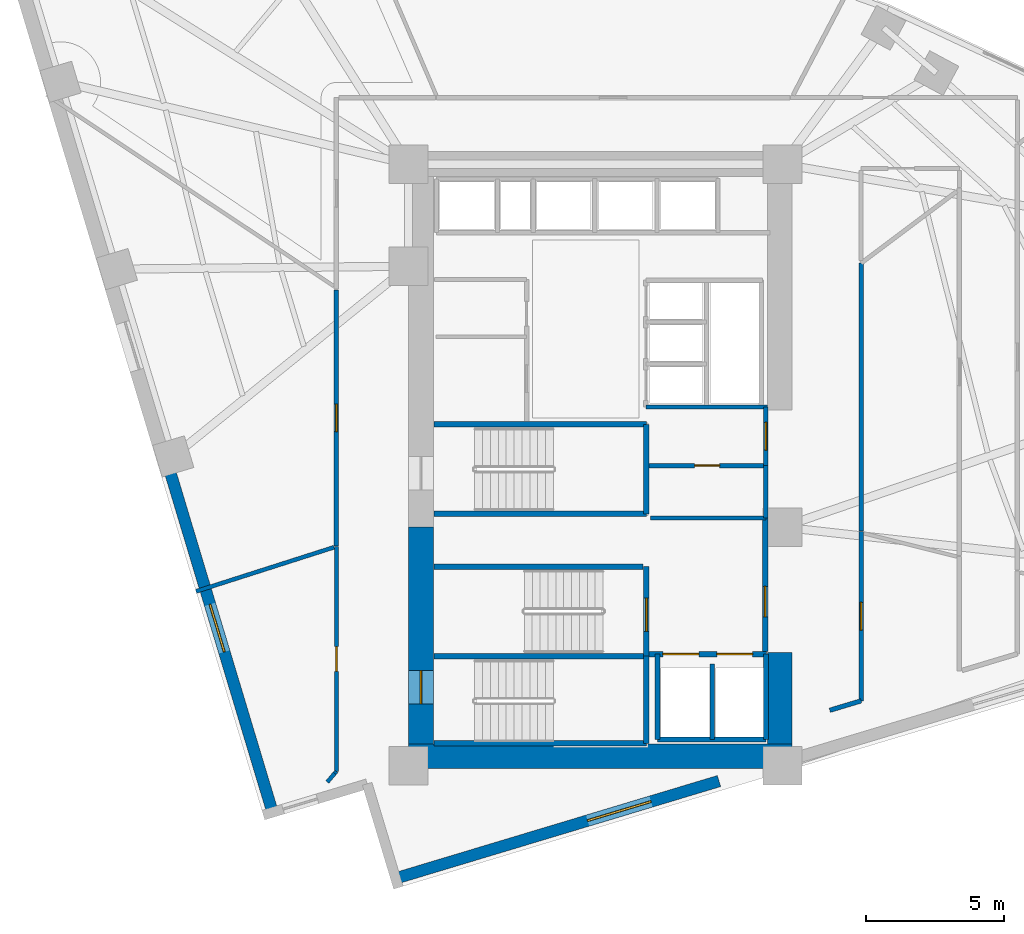
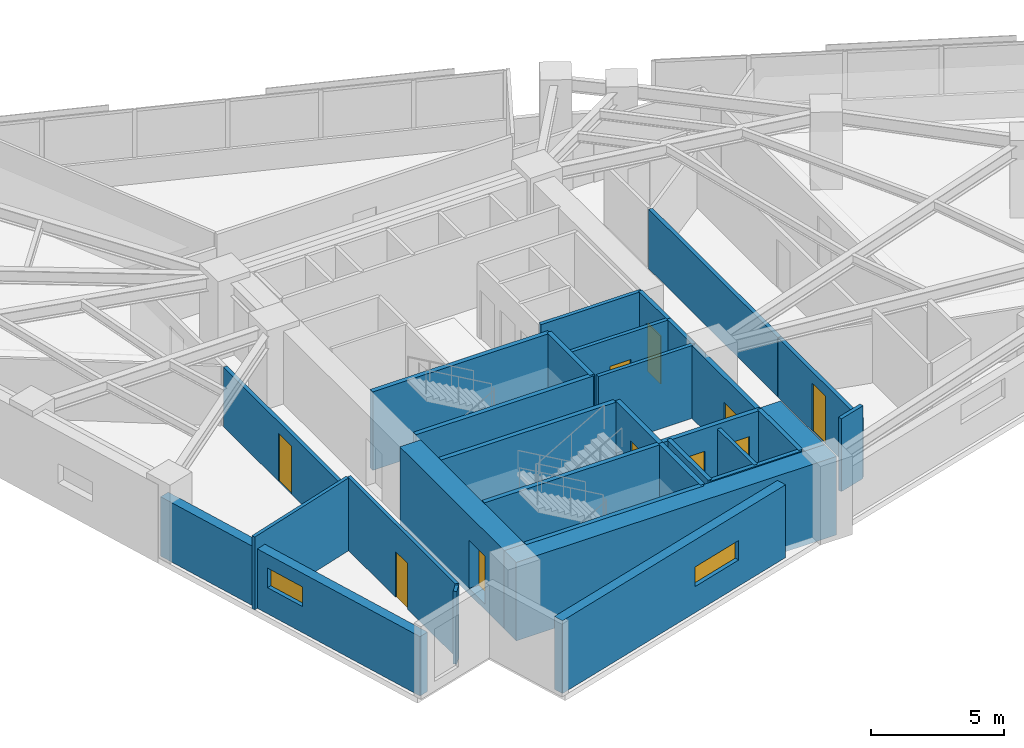
# One storey, part 10 of 14: 32 walls, 10 doors, 2 windows, 12 openings.
"""IFC4 building model written with IfcOpenShell, lengths in metres."""

import ifcopenshell
import ifcopenshell.guid

model = None  # the IFC model being written
_history = None  # IfcOwnerHistory: only IFC2X3 demands one
_inside = {}  # id of a spatial element -> (the spatial element, [elements in it])
_under = {}  # id of a project, library or spatial element -> (it, [spatial elements below it])
_declared = {}  # id of a project -> (the project, [libraries it declares])
_typed = {}  # id of a type object -> (the type object, [elements of that type])
_made_of = {}  # id of a material, layer set ... -> (it, [elements and type objects made of it])


def new_model(schema):
    """Start an empty IFC model of exactly this schema.

    Asked for "IFC4X3", IfcOpenShell would pick the latest addendum, in which some entities
    have other attributes; the version numbers below select the first issue.
    IFC2X3 requires an IfcOwnerHistory on every rooted entity: one is made here for all.
    """
    global model, _history
    if schema == "IFC4X3":
        model = ifcopenshell.file(schema_version=(4, 3, 0, 0))
    else:
        model = ifcopenshell.file(schema=schema)
    _inside.clear()
    _under.clear()
    _declared.clear()
    _typed.clear()
    _made_of.clear()
    _history = None
    if model.schema == "IFC2X3":
        org = make("IfcOrganization", Name="unknown")
        user = make(
            "IfcPersonAndOrganization",
            ThePerson=make("IfcPerson", FamilyName="unknown"),
            TheOrganization=org,
        )
        app = make(
            "IfcApplication",
            ApplicationDeveloper=org,
            Version="unknown",
            ApplicationFullName="unknown",
            ApplicationIdentifier="unknown",
        )
        _history = make(
            "IfcOwnerHistory",
            OwningUser=user,
            OwningApplication=app,
            ChangeAction="ADDED",
            CreationDate=0,
        )
    return model


def make(cls, **values):
    """One entity of the class cls with the attributes given. An attribute that is None is left unset."""
    return model.create_entity(
        cls, **{name: value for name, value in values.items() if value is not None}
    )


def rooted(cls, **values):
    """An entity with a GlobalId (a new one), such as an element, a storey or a relation."""
    return make(cls, GlobalId=ifcopenshell.guid.new(), OwnerHistory=_history, **values)


def si_unit(unit_type, name, prefix=None):
    """IfcSIUnit, for example si_unit("LENGTHUNIT", "METRE", prefix="MILLI")."""
    return make("IfcSIUnit", UnitType=unit_type, Prefix=prefix, Name=name)


def assignment(units):
    """IfcUnitAssignment: the units of a project."""
    return None if units is None else make("IfcUnitAssignment", Units=units)


def point(xyz):
    """IfcCartesianPoint."""
    return None if xyz is None else make("IfcCartesianPoint", Coordinates=xyz)


def direction(xyz):
    """IfcDirection."""
    return None if xyz is None else make("IfcDirection", DirectionRatios=xyz)


def frame(location, z_axis=None, x_axis=None):
    """IfcAxis2Placement3D, a coordinate frame: its origin and axes. An axis left out is left unset."""
    return make(
        "IfcAxis2Placement3D",
        Location=point(location),
        Axis=direction(z_axis),
        RefDirection=direction(x_axis),
    )


def frame_2d(location, x_axis=None):
    """IfcAxis2Placement2D, a coordinate frame in the plane: its origin and x axis."""
    return make(
        "IfcAxis2Placement2D", Location=point(location), RefDirection=direction(x_axis)
    )


def origin():
    """The frame at (0, 0, 0) with its axes left unset."""
    return frame((0.0, 0.0, 0.0))


def place(relative_to, where):
    """IfcLocalPlacement: puts the frame where relative to a parent placement (None: the world)."""
    return make(
        "IfcLocalPlacement", PlacementRelTo=relative_to, RelativePlacement=where
    )


def context(
    kind, dimensions, precision=None, world=None, true_north=None, identifier=None
):
    """IfcGeometricRepresentationContext, for example the 3D "Model" context."""
    return make(
        "IfcGeometricRepresentationContext",
        ContextIdentifier=identifier,
        ContextType=kind,
        CoordinateSpaceDimension=dimensions,
        Precision=precision,
        WorldCoordinateSystem=world,
        TrueNorth=true_north,
    )


def subcontext(parent, identifier, kind, view, scale=None):
    """IfcGeometricRepresentationSubContext, for example "Body" below "Model"."""
    return make(
        "IfcGeometricRepresentationSubContext",
        ContextIdentifier=identifier,
        ContextType=kind,
        ParentContext=parent,
        TargetScale=scale,
        TargetView=view,
    )


def project(units=None, contexts=None):
    """IfcProject with its units and contexts."""
    return rooted(
        "IfcProject",
        Name="project",
        RepresentationContexts=contexts,
        UnitsInContext=assignment(units),
    )


def spatial(cls, under=None, at=None, **own):
    """A site, building, storey or space (cls), placed at a placement, below another one or the project."""
    s = rooted(cls, ObjectPlacement=at, **own)
    if under is not None:
        _under.setdefault(under.id(), (under, []))[1].append(s)
    return s


def profile(cls, at=None, kind="AREA", **sizes):
    """A parametric profile (cls). Its sizes go by their IFC names, for example OverallWidth=200.0."""
    return make(cls, ProfileType=kind, Position=at, **sizes)


def rectangle(**sizes):
    """IfcRectangleProfileDef."""
    return profile("IfcRectangleProfileDef", **sizes)


def extrude(swept, where, along, depth):
    """IfcExtrudedAreaSolid: the profile swept, set in the frame where, extruded along a direction by depth."""
    return make(
        "IfcExtrudedAreaSolid",
        SweptArea=swept,
        Position=where,
        ExtrudedDirection=direction(along),
        Depth=depth,
    )


def shape(context_of_items, identifier, shape_type, items):
    """IfcShapeRepresentation: the items that make up one representation, for example the "Body"."""
    return make(
        "IfcShapeRepresentation",
        ContextOfItems=context_of_items,
        RepresentationIdentifier=identifier,
        RepresentationType=shape_type,
        Items=items,
    )


def material(Name=None, Category=None):
    """IfcMaterial."""
    return make("IfcMaterial", Name=Name, Category=Category)


def layer(
    of_material, thickness, ventilated=None, Name=None, Category=None, Priority=None
):
    """IfcMaterialLayer: one layer of a wall or slab, of a material (None: an air gap)."""
    return make(
        "IfcMaterialLayer",
        Material=of_material,
        LayerThickness=thickness,
        IsVentilated=ventilated,
        Name=Name,
        Category=Category,
        Priority=Priority,
    )


def layer_set(layers, Name=None):
    """IfcMaterialLayerSet."""
    return make("IfcMaterialLayerSet", MaterialLayers=layers, LayerSetName=Name)


def made_of(thing, what):
    """Note that an element or type object is made of a material, layer set ...; save() writes the relation."""
    if what is not None:
        _made_of.setdefault(what.id(), (what, []))[1].append(thing)
    return thing


def type_object(cls, material=None, **own):
    """A type object (cls), such as IfcWallType, which elements share."""
    return made_of(rooted(cls, **own), material)


def element(
    cls,
    number,
    at=None,
    inside=None,
    cuts=None,
    type_object=None,
    material=None,
    context=None,
    identifier="Body",
    shape_type=None,
    held_by="IfcProductDefinitionShape",
    body=None,
    shapes=None,
    **own,
):
    """One element of the class cls, such as IfcWall. Its Tag is "e" and its number.

    at: its placement. inside: the storey or other place that contains it. cuts: it is an
    opening in that element (IfcRelVoidsElement). A single representation is given by context,
    identifier, shape_type and body (its items); several are given by shapes. held_by: the class
    of the entity that holds the representations. save() writes the other relations.
    """
    e = rooted(cls, Tag="e%d" % number, ObjectPlacement=at, **own)
    if body is not None:
        shapes = [shape(context, identifier, shape_type, body)]
    if shapes is not None:
        e.Representation = make(held_by, Representations=shapes)
    if inside is not None:
        _inside.setdefault(inside.id(), (inside, []))[1].append(e)
    if cuts is not None:
        rooted(
            "IfcRelVoidsElement", RelatingBuildingElement=cuts, RelatedOpeningElement=e
        )
    if type_object is not None:
        _typed.setdefault(type_object.id(), (type_object, []))[1].append(e)
    return made_of(e, material)


def fill(opening, filler):
    """IfcRelFillsElement: the door or window that sits in an opening."""
    return rooted(
        "IfcRelFillsElement",
        RelatingOpeningElement=opening,
        RelatedBuildingElement=filler,
    )


def aggregate(whole, parts):
    """IfcRelAggregates: a whole, such as a stair, and the parts it consists of."""
    return rooted("IfcRelAggregates", RelatingObject=whole, RelatedObjects=parts)


def save(model, path):
    """Write the relations noted so far, then the file.

    IfcRelAggregates (storeys below a building ...), IfcRelContainedInSpatialStructure (elements
    in a storey), IfcRelDefinesByType, IfcRelAssociatesMaterial and IfcRelDeclares: one each for
    every whole, place, type object, material and project.
    """
    for whole, parts in _under.values():
        aggregate(whole, parts)
    for where, things in _inside.values():
        rooted(
            "IfcRelContainedInSpatialStructure",
            RelatedElements=things,
            RelatingStructure=where,
        )
    for kind, things in _typed.values():
        rooted("IfcRelDefinesByType", RelatedObjects=things, RelatingType=kind)
    for what, things in _made_of.values():
        rooted("IfcRelAssociatesMaterial", RelatedObjects=things, RelatingMaterial=what)
    for by, libraries in _declared.values():
        rooted("IfcRelDeclares", RelatingContext=by, RelatedDefinitions=libraries)
    model.write(path)


model = new_model("IFC4")

# Units and contexts
model_context = context("Model", 3, precision=1e-05, world=origin(), true_north=direction((0.0, 1.0)))
body_context = subcontext(model_context, "Body", "Model", "MODEL_VIEW")
ifc_project = project(units=[si_unit("LENGTHUNIT", "METRE"), si_unit("AREAUNIT", "SQUARE_METRE"), si_unit("VOLUMEUNIT", "CUBIC_METRE"), si_unit("PLANEANGLEUNIT", "RADIAN"), si_unit("MASSUNIT", "GRAM", prefix="KILO")], contexts=[model_context])

# Site, building, storey
site_placement = place(None, origin())
site = spatial("IfcSite", under=ifc_project, at=site_placement, CompositionType="ELEMENT")
building_placement = place(site_placement, origin())
building = spatial("IfcBuilding", under=site, at=building_placement, Name="Narakoshi Arena Tower", CompositionType="ELEMENT")
storey_placement = place(building_placement, frame((0.0, 0.0, 135.89990234375)))
storey = spatial("IfcBuildingStorey", under=building, at=storey_placement, Name="L36", CompositionType="ELEMENT", Elevation=135.89990234375)

# Wall, opening, door
ifc_material_1 = material(Name="Concrete C60/75", Category="concrete")
ifc_layer_1 = layer(ifc_material_1, 0.89990234375)
ifc_layer_set_1 = layer_set([ifc_layer_1], Name="Concrete C60/75")
wall_type_1 = type_object("IfcWallType", Name="WL-CORE-900", PredefinedType="SHEAR", material=ifc_layer_set_1)
wall_1_placement = place(storey_placement, frame((72.449951171875, 35.5, -0.260009765625), z_axis=(0.0, 0.0, 1.0), x_axis=(0.0, 1.0, 0.0)))
wall_1 = element("IfcWall", 1, at=wall_1_placement, inside=storey, type_object=wall_type_1, Name="L36 Central Core Shear Wall CW-APX-W", PredefinedType="SHEAR", context=body_context, shape_type="SweptSolid", body=[
    extrude(rectangle(XDim=7.85009765625, YDim=0.89990234375, at=frame_2d((3.925048828125, 0.0))), origin(), (0.0, 0.0, 1.0), 3.60009765625),
])
opening_1_placement = place(wall_1_placement, frame((1.449951171875, 0.0, 0.260009765625)))
opening_1 = element("IfcOpeningElement", 2, at=opening_1_placement, cuts=wall_1, Name="Opening D-03", PredefinedType="OPENING", context=body_context, shape_type="SweptSolid", body=[
    extrude(rectangle(XDim=1.199951171875, YDim=2.199951171875, at=frame_2d((0.60009765625, 1.10009765625))), frame((0.0, 0.4599609375, 0.0), z_axis=(0.0, -1.0, 0.0), x_axis=(1.0, 0.0, 0.0)), (0.0, 0.0, 1.0), 0.919921875),
])
ifc_material_2 = material(Name="Painted galvanized steel", Category="steel")
door_type_1 = type_object("IfcDoorType", Name="DR-STR-1200", OperationType="NOTDEFINED", PredefinedType="USERDEFINED", material=ifc_material_2)
door_1_placement = place(opening_1_placement, frame((1.199951171875, 0.0, 0.0), z_axis=(0.0, 0.0, 1.0), x_axis=(-1.0, 0.0, 0.0)))
door_1 = element("IfcDoor", 3, at=door_1_placement, inside=storey, type_object=door_type_1, Name="DR-L36-002", ObjectType="EXITDOOR", OperationType="SINGLE_SWING_LEFT", OverallHeight=2.199951171875, OverallWidth=1.199951171875, PredefinedType="USERDEFINED", context=body_context, shape_type="SweptSolid", body=[
    extrude(rectangle(XDim=1.199951171875, YDim=2.199951171875, at=frame_2d((0.60009765625, 1.10009765625))), frame((0.0, 0.02490234375, 0.0), z_axis=(0.0, -1.0, 0.0), x_axis=(1.0, 0.0, 0.0)), (0.0, 0.0, 1.0), 0.050048828125),
])
fill(opening_1, door_1)

# Walls
wall_2_placement = place(storey_placement, frame((72.0, 35.050048828125, -0.260009765625), z_axis=(0.0, 0.0, 1.0), x_axis=(1.0, 0.0, 0.0)))
element("IfcWall", 4, at=wall_2_placement, inside=storey, type_object=wall_type_1, Name="L36 Central Core Shear Wall CW-APX-S", PredefinedType="SHEAR", context=body_context, shape_type="SweptSolid", body=[
    extrude(rectangle(XDim=13.89990234375, YDim=0.89990234375, at=frame_2d((6.949951171875, 0.0))), origin(), (0.0, 0.0, 1.0), 3.60009765625),
])
wall_3_placement = place(storey_placement, frame((85.449951171875, 35.5, -0.260009765625), z_axis=(0.0, 0.0, 1.0), x_axis=(0.0, 1.0, 0.0)))
element("IfcWall", 5, at=wall_3_placement, inside=storey, type_object=wall_type_1, Name="L36 Central Core Shear Wall CW-APX-E", PredefinedType="SHEAR", context=body_context, shape_type="SweptSolid", body=[
    extrude(rectangle(XDim=3.300048828125, YDim=0.89990234375, at=frame_2d((1.64990234375, 0.0))), origin(), (0.0, 0.0, 1.0), 3.60009765625),
])

# Wall, opening, door
ifc_material_3 = material(Name="Gypsum plasterboard fire-rated partition")
ifc_layer_2 = layer(ifc_material_3, 0.1650390625)
ifc_layer_set_2 = layer_set([ifc_layer_2], Name="Gypsum plasterboard fire-rated partition")
wall_type_2 = type_object("IfcWallType", Name="WL-CORR-165", PredefinedType="PARTITIONING", material=ifc_layer_set_2)
wall_4_placement = place(storey_placement, frame((84.949951171875, 45.580078125, 0.0), z_axis=(0.0, 0.0, 1.0), x_axis=(0.0, 1.0, 0.0)))
wall_4 = element("IfcWall", 6, at=wall_4_placement, inside=storey, type_object=wall_type_2, Name="L36 Core Wall CPAS-E", PredefinedType="PARTITIONING", context=body_context, shape_type="SweptSolid", body=[
    extrude(rectangle(XDim=2.119873046875, YDim=0.1650390625, at=frame_2d((1.06005859375, 0.0))), origin(), (0.0, 0.0, 1.0), 3.340087890625),
])
opening_2_placement = place(wall_4_placement, frame((0.56005859375, 0.0, 0.0)))
opening_2 = element("IfcOpeningElement", 7, at=opening_2_placement, cuts=wall_4, Name="Opening D-06", PredefinedType="OPENING", context=body_context, shape_type="SweptSolid", body=[
    extrude(rectangle(XDim=1.0, YDim=2.199951171875, at=frame_2d((0.5, 1.10009765625))), frame((0.0, 0.092529296875, 0.0), z_axis=(0.0, -1.0, 0.0), x_axis=(1.0, 0.0, 0.0)), (0.0, 0.0, 1.0), 0.18505859375),
])
ifc_material_4 = material(Name="Stained oak solid-core timber", Category="wood")
door_type_2 = type_object("IfcDoorType", Name="DR-OFF-1000", OperationType="NOTDEFINED", PredefinedType="DOOR", material=ifc_material_4)
door_2_placement = place(opening_2_placement, frame((1.0, 0.0, 0.0), z_axis=(0.0, 0.0, 1.0), x_axis=(-1.0, 0.0, 0.0)))
door_2 = element("IfcDoor", 8, at=door_2_placement, inside=storey, type_object=door_type_2, Name="DR-L36-008", OperationType="SINGLE_SWING_LEFT", OverallHeight=2.199951171875, OverallWidth=1.0, PredefinedType="DOOR", context=body_context, shape_type="SweptSolid", body=[
    extrude(rectangle(XDim=1.0, YDim=2.199951171875, at=frame_2d((0.5, 1.10009765625))), frame((0.0, 0.02490234375, 0.0), z_axis=(0.0, -1.0, 0.0), x_axis=(1.0, 0.0, 0.0)), (0.0, 0.0, 1.0), 0.050048828125),
])
fill(opening_2, door_2)

wall_5_placement = place(storey_placement, frame((88.39990234375, 37.05712890625, 0.0), z_axis=(0.0, 0.0, 1.0), x_axis=(0.0, 1.0, 0.0)))
wall_5 = element("IfcWall", 9, at=wall_5_placement, inside=storey, type_object=wall_type_2, Name="L36 Corridor Partition 02-1", PredefinedType="PARTITIONING", context=body_context, shape_type="SweptSolid", body=[
    extrude(rectangle(XDim=6.128173828125, YDim=0.1650390625, at=frame_2d((3.06396484375, 0.0))), origin(), (0.0, 0.0, 1.0), 2.72509765625),
])
opening_3_placement = place(wall_5_placement, frame((2.564208984375, 0.0, 0.0)))
opening_3 = element("IfcOpeningElement", 10, at=opening_3_placement, cuts=wall_5, Name="Opening D-06", PredefinedType="OPENING", context=body_context, shape_type="SweptSolid", body=[
    extrude(rectangle(XDim=1.0, YDim=2.199951171875, at=frame_2d((0.5, 1.10009765625))), frame((0.0, 0.092529296875, 0.0), z_axis=(0.0, -1.0, 0.0), x_axis=(1.0, 0.0, 0.0)), (0.0, 0.0, 1.0), 0.18505859375),
])
door_3_placement = place(opening_3_placement, frame((1.0, 0.0, 0.0), z_axis=(0.0, 0.0, 1.0), x_axis=(-1.0, 0.0, 0.0)))
door_3 = element("IfcDoor", 11, at=door_3_placement, inside=storey, type_object=door_type_2, Name="DR-L36-016", OperationType="SINGLE_SWING_LEFT", OverallHeight=2.199951171875, OverallWidth=1.0, PredefinedType="DOOR", context=body_context, shape_type="SweptSolid", body=[
    extrude(rectangle(XDim=1.0, YDim=2.199951171875, at=frame_2d((0.5, 1.10009765625))), frame((0.0, 0.02490234375, 0.0), z_axis=(0.0, -1.0, 0.0), x_axis=(1.0, 0.0, 0.0)), (0.0, 0.0, 1.0), 0.050048828125),
])
fill(opening_3, door_3)

# Walls
wall_6_placement = place(storey_placement, frame((87.262939453125, 36.71484375, 0.0), z_axis=(0.0, 0.0, 1.0), x_axis=(0.957548542079, 0.288272075584, 0.0)))
element("IfcWall", 12, at=wall_6_placement, inside=storey, type_object=wall_type_2, Name="L36 Corridor Partition 02-5", PredefinedType="PARTITIONING", context=body_context, shape_type="SweptSolid", body=[
    extrude(rectangle(XDim=1.187255859375, YDim=0.1650390625, at=frame_2d((0.59375, 0.0))), origin(), (0.0, 0.0, 1.0), 3.340087890625),
])
wall_7_placement = place(storey_placement, frame((88.39990234375, 43.2099609375, 0.0), z_axis=(0.0, 0.0, 1.0), x_axis=(0.0, 1.0, 0.0)))
element("IfcWall", 13, at=wall_7_placement, inside=storey, type_object=wall_type_2, Name="L36 Corridor Partition 04-2", PredefinedType="PARTITIONING", context=body_context, shape_type="SweptSolid", body=[
    extrude(rectangle(XDim=9.701416015625, YDim=0.1650390625, at=frame_2d((4.8505859375, 0.0))), origin(), (0.0, 0.0, 1.0), 2.72509765625),
])

# Wall, opening, door
wall_8_placement = place(storey_placement, frame((69.388916015625, 51.9453125, 0.0), z_axis=(0.0, 0.0, 1.0), x_axis=(0.0, -1.0, 0.0)))
wall_8 = element("IfcWall", 14, at=wall_8_placement, inside=storey, type_object=wall_type_2, Name="L36 Corridor Partition 09-1", PredefinedType="PARTITIONING", context=body_context, shape_type="SweptSolid", body=[
    extrude(rectangle(XDim=9.27294921875, YDim=0.1650390625, at=frame_2d((4.636474609375, 0.0))), origin(), (0.0, 0.0, 1.0), 2.72509765625),
])
opening_4_placement = place(wall_8_placement, frame((4.136474609375, 0.0, 0.0)))
opening_4 = element("IfcOpeningElement", 15, at=opening_4_placement, cuts=wall_8, Name="Opening D-06", PredefinedType="OPENING", context=body_context, shape_type="SweptSolid", body=[
    extrude(rectangle(XDim=1.0, YDim=2.199951171875, at=frame_2d((0.5, 1.10009765625))), frame((0.0, 0.092529296875, 0.0), z_axis=(0.0, -1.0, 0.0), x_axis=(1.0, 0.0, 0.0)), (0.0, 0.0, 1.0), 0.18505859375),
])
door_4_placement = place(opening_4_placement, frame((1.0, 0.0, 0.0), z_axis=(0.0, 0.0, 1.0), x_axis=(-1.0, 0.0, 0.0)))
door_4 = element("IfcDoor", 16, at=door_4_placement, inside=storey, type_object=door_type_2, Name="DR-L36-023", OperationType="SINGLE_SWING_RIGHT", OverallHeight=2.199951171875, OverallWidth=1.0, PredefinedType="DOOR", context=body_context, shape_type="SweptSolid", body=[
    extrude(rectangle(XDim=1.0, YDim=2.199951171875, at=frame_2d((0.5, 1.10009765625))), frame((0.0, 0.02490234375, 0.0), z_axis=(0.0, -1.0, 0.0), x_axis=(1.0, 0.0, 0.0)), (0.0, 0.0, 1.0), 0.050048828125),
])
fill(opening_4, door_4)

# Wall, opening, window
ifc_material_5 = material(Name="Precast concrete C45/55", Category="concrete")
ifc_layer_3 = layer(ifc_material_5, 0.419921875)
ifc_layer_set_3 = layer_set([ifc_layer_3], Name="Precast concrete C45/55")
wall_type_3 = type_object("IfcWallType", Name="WL-POD-420", PredefinedType="SOLIDWALL", material=ifc_layer_set_3)
wall_9_placement = place(storey_placement, frame((71.53466796875, 30.62353515625, 0.0), z_axis=(0.0, 0.0, 1.0), x_axis=(0.957571099539, 0.288197136226, 0.0)))
wall_9 = element("IfcWall", 17, at=wall_9_placement, inside=storey, type_object=wall_type_3, Name="L36 Architectural Concrete Facade Wall LEGA-1", PredefinedType="SOLIDWALL", context=body_context, shape_type="SweptSolid", body=[
    extrude(rectangle(XDim=12.23583984375, YDim=0.419921875, at=frame_2d((6.117919921875, 0.0))), origin(), (0.0, 0.0, 1.0), 3.340087890625),
])
opening_5_placement = place(wall_9_placement, frame((7.263916015625, 0.0, 1.199951171875)))
opening_5 = element("IfcOpeningElement", 18, at=opening_5_placement, cuts=wall_9, Name="Opening WN-01", PredefinedType="OPENING", context=body_context, shape_type="SweptSolid", body=[
    extrude(rectangle(XDim=2.39990234375, YDim=0.89990234375, at=frame_2d((1.199951171875, 0.449951171875))), frame((0.0, 0.219970703125, 0.0), z_axis=(0.0, -1.0, 0.0), x_axis=(1.0, 0.0, 0.0)), (0.0, 0.0, 1.0), 0.43994140625),
])
ifc_material_6 = material(Name="Bronze-tinted low-E laminated glass", Category="glass")
window_type_1 = type_object("IfcWindowType", Name="WIN-SLT-24x09", PartitioningType="SINGLE_PANEL", PredefinedType="WINDOW", material=ifc_material_6)
window_1_placement = place(opening_5_placement, origin())
window_1 = element("IfcWindow", 19, at=window_1_placement, inside=storey, type_object=window_type_1, Name="L36 LEGA1 Horizontal Slot Window 1", OverallHeight=0.89990234375, OverallWidth=2.39990234375, PartitioningType="SINGLE_PANEL", PredefinedType="WINDOW", context=body_context, shape_type="SweptSolid", body=[
    extrude(rectangle(XDim=2.39990234375, YDim=0.89990234375, at=frame_2d((1.199951171875, 0.449951171875))), frame((0.0, 0.030029296875, 0.0), z_axis=(0.0, -1.0, 0.0), x_axis=(1.0, 0.0, 0.0)), (0.0, 0.0, 1.0), 0.06005859375),
])
fill(opening_5, window_1)

wall_10_placement = place(storey_placement, frame((63.221435546875, 45.833740234375, 0.0), z_axis=(0.0, 0.0, 1.0), x_axis=(0.288202962273, -0.957569346072, 0.0)))
wall_10 = element("IfcWall", 20, at=wall_10_placement, inside=storey, type_object=wall_type_3, Name="L36 Architectural Concrete Facade Wall LEGB-3", PredefinedType="SOLIDWALL", context=body_context, shape_type="SweptSolid", body=[
    extrude(rectangle(XDim=13.383544921875, YDim=0.419921875, at=frame_2d((6.69189453125, 0.0))), origin(), (0.0, 0.0, 1.0), 2.72509765625),
])
opening_6_placement = place(wall_10_placement, frame((5.5166015625, 0.0, 1.199951171875)))
opening_6 = element("IfcOpeningElement", 21, at=opening_6_placement, cuts=wall_10, Name="Opening WN-02", PredefinedType="OPENING", context=body_context, shape_type="SweptSolid", body=[
    extrude(rectangle(XDim=1.800048828125, YDim=0.89990234375, at=frame_2d((0.89990234375, 0.449951171875))), frame((0.0, 0.219970703125, 0.0), z_axis=(0.0, -1.0, 0.0), x_axis=(1.0, 0.0, 0.0)), (0.0, 0.0, 1.0), 0.43994140625),
])
window_type_2 = type_object("IfcWindowType", Name="WIN-SLT-18x09", PartitioningType="SINGLE_PANEL", PredefinedType="WINDOW", material=ifc_material_6)
window_2_placement = place(opening_6_placement, origin())
window_2 = element("IfcWindow", 22, at=window_2_placement, inside=storey, type_object=window_type_2, Name="L36 LEGB3 Horizontal Slot Window 1", OverallHeight=0.89990234375, OverallWidth=1.800048828125, PartitioningType="SINGLE_PANEL", PredefinedType="WINDOW", context=body_context, shape_type="SweptSolid", body=[
    extrude(rectangle(XDim=1.800048828125, YDim=0.89990234375, at=frame_2d((0.89990234375, 0.449951171875))), frame((0.0, 0.030029296875, 0.0), z_axis=(0.0, -1.0, 0.0), x_axis=(1.0, 0.0, 0.0)), (0.0, 0.0, 1.0), 0.06005859375),
])
fill(opening_6, window_2)

# Walls
ifc_material_7 = material(Name="Concrete C40/50", Category="concrete")
ifc_layer_4 = layer(ifc_material_7, 0.280029296875)
ifc_layer_set_4 = layer_set([ifc_layer_4], Name="Concrete C40/50")
wall_type_4 = type_object("IfcWallType", Name="WL-RISER-280", PredefinedType="PLUMBINGWALL", material=ifc_layer_set_4)
wall_11_placement = place(storey_placement, frame((83.0, 35.64990234375, 0.0), z_axis=(0.0, 0.0, 1.0), x_axis=(0.0, 1.0, 0.0)))
element("IfcWall", 23, at=wall_11_placement, inside=storey, type_object=wall_type_4, Name="L36 Core Wall FF-DIV", PredefinedType="PLUMBINGWALL", context=body_context, shape_type="SweptSolid", body=[
    extrude(rectangle(XDim=2.75, YDim=0.159912109375, at=frame_2d((1.375, 0.0))), origin(), (0.0, 0.0, 1.0), 3.340087890625),
])
wall_12_placement = place(storey_placement, frame((84.949951171875, 43.679931640625, 0.0), z_axis=(0.0, 0.0, 1.0), x_axis=(0.0, 1.0, 0.0)))
element("IfcWall", 24, at=wall_12_placement, inside=storey, type_object=wall_type_4, Name="L36 Core Wall RSR-E", PredefinedType="PLUMBINGWALL", context=body_context, shape_type="SweptSolid", body=[
    extrude(rectangle(XDim=1.900146484375, YDim=0.1650390625, at=frame_2d((0.9501953125, 0.0))), origin(), (0.0, 0.0, 1.0), 3.340087890625),
])

# Wall, opening, door
wall_13_placement = place(storey_placement, frame((80.719970703125, 45.580078125, 0.0), z_axis=(0.0, 0.0, 1.0), x_axis=(1.0, 0.0, 0.0)))
wall_13 = element("IfcWall", 25, at=wall_13_placement, inside=storey, type_object=wall_type_4, Name="L36 Core Wall RSR-N", PredefinedType="PLUMBINGWALL", context=body_context, shape_type="SweptSolid", body=[
    extrude(rectangle(XDim=4.22998046875, YDim=0.159912109375, at=frame_2d((2.114990234375, 0.0))), origin(), (0.0, 0.0, 1.0), 3.340087890625),
])
opening_7_placement = place(wall_13_placement, frame((1.64990234375, 0.0, 0.0)))
opening_7 = element("IfcOpeningElement", 26, at=opening_7_placement, cuts=wall_13, Name="Opening D-08", PredefinedType="OPENING", context=body_context, shape_type="SweptSolid", body=[
    extrude(rectangle(XDim=0.89990234375, YDim=2.10009765625, at=frame_2d((0.449951171875, 1.050048828125))), frame((0.0, 0.08984375, 0.0), z_axis=(0.0, -1.0, 0.0), x_axis=(1.0, 0.0, 0.0)), (0.0, 0.0, 1.0), 0.179931640625),
])
ifc_material_8 = material(Name="Moisture-resistant laminate timber", Category="wood")
door_type_3 = type_object("IfcDoorType", Name="DR-WC-900", OperationType="NOTDEFINED", PredefinedType="DOOR", material=ifc_material_8)
door_5_placement = place(opening_7_placement, frame((0.89990234375, 0.0, 0.0), z_axis=(0.0, 0.0, 1.0), x_axis=(-1.0, 0.0, 0.0)))
door_5 = element("IfcDoor", 27, at=door_5_placement, inside=storey, type_object=door_type_3, Name="DR-L36-009", OperationType="SINGLE_SWING_LEFT", OverallHeight=2.10009765625, OverallWidth=0.89990234375, PredefinedType="DOOR", context=body_context, shape_type="SweptSolid", body=[
    extrude(rectangle(XDim=0.89990234375, YDim=2.10009765625, at=frame_2d((0.449951171875, 1.050048828125))), frame((0.0, 0.02490234375, 0.0), z_axis=(0.0, -1.0, 0.0), x_axis=(1.0, 0.0, 0.0)), (0.0, 0.0, 1.0), 0.050048828125),
])
fill(opening_7, door_5)

# Walls
wall_14_placement = place(storey_placement, frame((80.760009765625, 43.679931640625, 0.0), z_axis=(0.0, 0.0, 1.0), x_axis=(1.0, 0.0, 0.0)))
element("IfcWall", 28, at=wall_14_placement, inside=storey, type_object=wall_type_4, Name="L36 Core Wall RSR-S", PredefinedType="PLUMBINGWALL", context=body_context, shape_type="SweptSolid", body=[
    extrude(rectangle(XDim=4.18994140625, YDim=0.159912109375, at=frame_2d((2.094970703125, 0.0))), origin(), (0.0, 0.0, 1.0), 3.340087890625),
])
ifc_material_9 = material(Name="Concrete C50/60", Category="concrete")
ifc_layer_5 = layer(ifc_material_9, 0.35009765625)
ifc_layer_set_5 = layer_set([ifc_layer_5], Name="Concrete C50/60")
wall_type_5 = type_object("IfcWallType", Name="WL-SHAFT-350", PredefinedType="SOLIDWALL", material=ifc_layer_set_5)
for number, where, z_axis, x_axis, name in (
    (29, (72.919921875, 35.52001953125, -0.260009765625), (0.0, 0.0, 1.0), (1.0, 0.0, 0.0), "L36 Core Wall ST1-S"),
    (30, (72.919921875, 38.675048828125, -0.260009765625), (0.0, 0.0, 1.0), (1.0, 0.0, 0.0), "L36 Core Wall ST12-DIV"),
):
    element("IfcWall", number, at=place(storey_placement, frame(where, z_axis=z_axis, x_axis=x_axis)), inside=storey, type_object=wall_type_5, Name=name, PredefinedType="SOLIDWALL", context=body_context, shape_type="SweptSolid", body=[
        extrude(rectangle(XDim=7.7001953125, YDim=0.199951171875, at=frame_2d((3.85009765625, 0.0))), origin(), (0.0, 0.0, 1.0), 3.60009765625),
    ])
wall_15_placement = place(storey_placement, frame((80.6201171875, 35.52001953125, -0.260009765625), z_axis=(0.0, 0.0, 1.0), x_axis=(0.0, 1.0, 0.0)))
element("IfcWall", 31, at=wall_15_placement, inside=storey, type_object=wall_type_5, Name="L36 Core Wall ST1-E", PredefinedType="SOLIDWALL", context=body_context, shape_type="SweptSolid", body=[
    extrude(rectangle(XDim=3.155029296875, YDim=0.199951171875, at=frame_2d((1.57763671875, 0.0))), origin(), (0.0, 0.0, 1.0), 3.60009765625),
])

# Wall, opening, door
wall_16_placement = place(storey_placement, frame((80.6201171875, 38.675048828125, -0.260009765625), z_axis=(0.0, 0.0, 1.0), x_axis=(0.0, 1.0, 0.0)))
wall_16 = element("IfcWall", 32, at=wall_16_placement, inside=storey, type_object=wall_type_5, Name="L36 Core Wall ST2-E", PredefinedType="SOLIDWALL", context=body_context, shape_type="SweptSolid", body=[
    extrude(rectangle(XDim=3.244873046875, YDim=0.199951171875, at=frame_2d((1.62255859375, 0.0))), origin(), (0.0, 0.0, 1.0), 3.60009765625),
])
opening_8_placement = place(wall_16_placement, frame((0.89990234375, 0.0, 0.260009765625)))
opening_8 = element("IfcOpeningElement", 33, at=opening_8_placement, cuts=wall_16, Name="Opening D-03", PredefinedType="OPENING", context=body_context, shape_type="SweptSolid", body=[
    extrude(rectangle(XDim=1.199951171875, YDim=2.199951171875, at=frame_2d((0.60009765625, 1.10009765625))), frame((0.0, 0.10986328125, 0.0), z_axis=(0.0, -1.0, 0.0), x_axis=(1.0, 0.0, 0.0)), (0.0, 0.0, 1.0), 0.219970703125),
])
door_6_placement = place(opening_8_placement, origin())
door_6 = element("IfcDoor", 34, at=door_6_placement, inside=storey, type_object=door_type_1, Name="DR-L36-003", ObjectType="EXITDOOR", OperationType="SINGLE_SWING_RIGHT", OverallHeight=2.199951171875, OverallWidth=1.199951171875, PredefinedType="USERDEFINED", context=body_context, shape_type="SweptSolid", body=[
    extrude(rectangle(XDim=1.199951171875, YDim=2.199951171875, at=frame_2d((0.60009765625, 1.10009765625))), frame((0.0, 0.02490234375, 0.0), z_axis=(0.0, -1.0, 0.0), x_axis=(1.0, 0.0, 0.0)), (0.0, 0.0, 1.0), 0.050048828125),
])
fill(opening_8, door_6)

# Wall, openings, doors
wall_17_placement = place(storey_placement, frame((80.719970703125, 38.75, 0.0), z_axis=(0.0, 0.0, 1.0), x_axis=(1.0, 0.0, 0.0)))
wall_17 = element("IfcWall", 35, at=wall_17_placement, inside=storey, type_object=wall_type_5, Name="L36 Core Wall FF-N", PredefinedType="SOLIDWALL", context=body_context, shape_type="SweptSolid", body=[
    extrude(rectangle(XDim=4.260009765625, YDim=0.199951171875, at=frame_2d((2.1298828125, 0.0))), origin(), (0.0, 0.0, 1.0), 3.340087890625),
])
opening_9_placement = place(wall_17_placement, frame((0.5, 0.0, 0.0)))
opening_9 = element("IfcOpeningElement", 36, at=opening_9_placement, cuts=wall_17, Name="Opening LD-02", PredefinedType="OPENING", context=body_context, shape_type="SweptSolid", body=[
    extrude(rectangle(XDim=1.300048828125, YDim=2.300048828125, at=frame_2d((0.64990234375, 1.14990234375))), frame((0.0, 0.10986328125, 0.0), z_axis=(0.0, -1.0, 0.0), x_axis=(1.0, 0.0, 0.0)), (0.0, 0.0, 1.0), 0.219970703125),
])
opening_10_placement = place(wall_17_placement, frame((2.449951171875, 0.0, 0.0)))
opening_10 = element("IfcOpeningElement", 37, at=opening_10_placement, cuts=wall_17, Name="Opening LD-02", PredefinedType="OPENING", context=body_context, shape_type="SweptSolid", body=[
    extrude(rectangle(XDim=1.300048828125, YDim=2.300048828125, at=frame_2d((0.64990234375, 1.14990234375))), frame((0.0, 0.10986328125, 0.0), z_axis=(0.0, -1.0, 0.0), x_axis=(1.0, 0.0, 0.0)), (0.0, 0.0, 1.0), 0.219970703125),
])
ifc_material_10 = material(Name="Brushed bronze stainless steel", Category="steel")
door_type_4 = type_object("IfcDoorType", Name="DR-LFT-1300", OperationType="DOUBLE_DOOR_SLIDING", PredefinedType="DOOR", material=ifc_material_10)
door_7_placement = place(opening_9_placement, origin())
door_7 = element("IfcDoor", 38, at=door_7_placement, inside=storey, type_object=door_type_4, Name="DR-L36-004", OperationType="DOUBLE_DOOR_SLIDING", OverallHeight=2.300048828125, OverallWidth=1.300048828125, PredefinedType="DOOR", context=body_context, shape_type="SweptSolid", body=[
    extrude(rectangle(XDim=1.300048828125, YDim=2.300048828125, at=frame_2d((0.64990234375, 1.14990234375))), frame((0.0, 0.02490234375, 0.0), z_axis=(0.0, -1.0, 0.0), x_axis=(1.0, 0.0, 0.0)), (0.0, 0.0, 1.0), 0.050048828125),
])
fill(opening_9, door_7)
door_8_placement = place(opening_10_placement, origin())
door_8 = element("IfcDoor", 39, at=door_8_placement, inside=storey, type_object=door_type_4, Name="DR-L36-005", OperationType="DOUBLE_DOOR_SLIDING", OverallHeight=2.300048828125, OverallWidth=1.300048828125, PredefinedType="DOOR", context=body_context, shape_type="SweptSolid", body=[
    extrude(rectangle(XDim=1.300048828125, YDim=2.300048828125, at=frame_2d((0.64990234375, 1.14990234375))), frame((0.0, 0.02490234375, 0.0), z_axis=(0.0, -1.0, 0.0), x_axis=(1.0, 0.0, 0.0)), (0.0, 0.0, 1.0), 0.050048828125),
])
fill(opening_10, door_8)

# Walls
for number, where, z_axis, x_axis, name in (
    (40, (84.949951171875, 35.64990234375, 0.0), (0.0, 0.0, 1.0), (0.0, 1.0, 0.0), "L36 Core Wall FF-E"),
    (41, (81.02001953125, 35.64990234375, 0.0), (0.0, 0.0, 1.0), (0.0, 1.0, 0.0), "L36 Core Wall FF-W"),
):
    element("IfcWall", number, at=place(storey_placement, frame(where, z_axis=z_axis, x_axis=x_axis)), inside=storey, type_object=wall_type_5, Name=name, PredefinedType="SOLIDWALL", context=body_context, shape_type="SweptSolid", body=[
        extrude(rectangle(XDim=3.10009765625, YDim=0.179931640625, at=frame_2d((1.550048828125, 0.0))), origin(), (0.0, 0.0, 1.0), 3.340087890625),
    ])
wall_18_placement = place(storey_placement, frame((81.02001953125, 35.64990234375, 0.0), z_axis=(0.0, 0.0, 1.0), x_axis=(1.0, 0.0, 0.0)))
element("IfcWall", 42, at=wall_18_placement, inside=storey, type_object=wall_type_5, Name="L36 Core Wall FF-S", PredefinedType="SOLIDWALL", context=body_context, shape_type="SweptSolid", body=[
    extrude(rectangle(XDim=3.929931640625, YDim=0.179931640625, at=frame_2d((1.96484375, 0.0))), origin(), (0.0, 0.0, 1.0), 3.340087890625),
])

# Wall, opening, door
wall_19_placement = place(storey_placement, frame((84.919921875, 38.85009765625, 0.0), z_axis=(0.0, 0.0, 1.0), x_axis=(0.0, 1.0, 0.0)))
wall_19 = element("IfcWall", 43, at=wall_19_placement, inside=storey, type_object=wall_type_5, Name="L36 Core Wall FFLOB-E", PredefinedType="SOLIDWALL", context=body_context, shape_type="SweptSolid", body=[
    extrude(rectangle(XDim=4.829833984375, YDim=0.199951171875, at=frame_2d((2.4150390625, 0.0))), origin(), (0.0, 0.0, 1.0), 3.340087890625),
])
opening_11_placement = place(wall_19_placement, frame((1.25, 0.0, 0.0)))
opening_11 = element("IfcOpeningElement", 44, at=opening_11_placement, cuts=wall_19, Name="Opening D-04", PredefinedType="OPENING", context=body_context, shape_type="SweptSolid", body=[
    extrude(rectangle(XDim=1.10009765625, YDim=2.199951171875, at=frame_2d((0.550048828125, 1.10009765625))), frame((0.0, 0.10986328125, 0.0), z_axis=(0.0, -1.0, 0.0), x_axis=(1.0, 0.0, 0.0)), (0.0, 0.0, 1.0), 0.219970703125),
])
door_type_5 = type_object("IfcDoorType", Name="DR-FFL-1100", OperationType="NOTDEFINED", PredefinedType="DOOR", material=ifc_material_2)
door_9_placement = place(opening_11_placement, frame((1.10009765625, 0.0, 0.0), z_axis=(0.0, 0.0, 1.0), x_axis=(-1.0, 0.0, 0.0)))
door_9 = element("IfcDoor", 45, at=door_9_placement, inside=storey, type_object=door_type_5, Name="DR-L36-006", OperationType="SINGLE_SWING_RIGHT", OverallHeight=2.199951171875, OverallWidth=1.10009765625, PredefinedType="DOOR", context=body_context, shape_type="SweptSolid", body=[
    extrude(rectangle(XDim=1.10009765625, YDim=2.199951171875, at=frame_2d((0.550048828125, 1.10009765625))), frame((0.0, 0.02490234375, 0.0), z_axis=(0.0, -1.0, 0.0), x_axis=(1.0, 0.0, 0.0)), (0.0, 0.0, 1.0), 0.050048828125),
])
fill(opening_11, door_9)

# Walls
wall_20_placement = place(storey_placement, frame((72.919921875, 41.919921875, -0.260009765625), z_axis=(0.0, 0.0, 1.0), x_axis=(1.0, 0.0, 0.0)))
element("IfcWall", 46, at=wall_20_placement, inside=storey, type_object=wall_type_5, Name="L36 Core Wall ST2-N", PredefinedType="SOLIDWALL", context=body_context, shape_type="SweptSolid", body=[
    extrude(rectangle(XDim=7.580078125, YDim=0.199951171875, at=frame_2d((3.7900390625, 0.0))), origin(), (0.0, 0.0, 1.0), 3.60009765625),
])
for number, where, z_axis, x_axis, name in (
    (47, (72.919921875, 43.830078125, -0.260009765625), (0.0, 0.0, 1.0), (1.0, 0.0, 0.0), "L36 Core Wall ST3-S"),
    (48, (72.919921875, 47.070068359375, -0.260009765625), (0.0, 0.0, 1.0), (1.0, 0.0, 0.0), "L36 Core Wall ST3-N"),
):
    element("IfcWall", number, at=place(storey_placement, frame(where, z_axis=z_axis, x_axis=x_axis)), inside=storey, type_object=wall_type_5, Name=name, PredefinedType="SOLIDWALL", context=body_context, shape_type="SweptSolid", body=[
        extrude(rectangle(XDim=7.7001953125, YDim=0.199951171875, at=frame_2d((3.85009765625, 0.0))), origin(), (0.0, 0.0, 1.0), 3.60009765625),
    ])
wall_21_placement = place(storey_placement, frame((80.6201171875, 43.830078125, -0.260009765625), z_axis=(0.0, 0.0, 1.0), x_axis=(0.0, 1.0, 0.0)))
element("IfcWall", 49, at=wall_21_placement, inside=storey, type_object=wall_type_5, Name="L36 Core Wall ST3-E", PredefinedType="SOLIDWALL", context=body_context, shape_type="SweptSolid", body=[
    extrude(rectangle(XDim=3.239990234375, YDim=0.199951171875, at=frame_2d((1.6201171875, 0.0))), origin(), (0.0, 0.0, 1.0), 3.60009765625),
])
wall_22_placement = place(storey_placement, frame((80.60009765625, 47.699951171875, 0.0), z_axis=(0.0, 0.0, 1.0), x_axis=(1.0, 0.0, 0.0)))
element("IfcWall", 50, at=wall_22_placement, inside=storey, type_object=wall_type_5, Name="L36 Core Wall MR-S", PredefinedType="SOLIDWALL", context=body_context, shape_type="SweptSolid", body=[
    extrude(rectangle(XDim=4.39990234375, YDim=0.159912109375, at=frame_2d((2.199951171875, 0.0))), origin(), (0.0, 0.0, 1.0), 3.340087890625),
])

# Wall, opening, door
ifc_material_11 = material(Name="Moisture-resistant cement-board partition")
ifc_layer_6 = layer(ifc_material_11, 0.14501953125)
ifc_layer_set_6 = layer_set([ifc_layer_6], Name="Moisture-resistant cement-board partition")
wall_type_6 = type_object("IfcWallType", Name="WL-WET-145", PredefinedType="PARTITIONING", material=ifc_layer_set_6)
wall_23_placement = place(storey_placement, frame((69.388916015625, 42.647216796875, 0.0), z_axis=(0.0, 0.0, 1.0), x_axis=(0.0, -1.0, 0.0)))
wall_23 = element("IfcWall", 51, at=wall_23_placement, inside=storey, type_object=wall_type_6, Name="L36 Corridor Partition 01-1", PredefinedType="PARTITIONING", context=body_context, shape_type="SweptSolid", body=[
    extrude(rectangle(XDim=8.1455078125, YDim=0.14501953125, at=frame_2d((4.07275390625, 0.0))), origin(), (0.0, 0.0, 1.0), 3.340087890625),
])
opening_12_placement = place(wall_23_placement, frame((3.622802734375, 0.0, 0.0)))
opening_12 = element("IfcOpeningElement", 52, at=opening_12_placement, cuts=wall_23, Name="Opening D-08", PredefinedType="OPENING", context=body_context, shape_type="SweptSolid", body=[
    extrude(rectangle(XDim=0.89990234375, YDim=2.10009765625, at=frame_2d((0.449951171875, 1.050048828125))), frame((0.0, 0.08251953125, 0.0), z_axis=(0.0, -1.0, 0.0), x_axis=(1.0, 0.0, 0.0)), (0.0, 0.0, 1.0), 0.1650390625),
])
door_10_placement = place(opening_12_placement, frame((0.89990234375, 0.0, 0.0), z_axis=(0.0, 0.0, 1.0), x_axis=(-1.0, 0.0, 0.0)))
door_10 = element("IfcDoor", 53, at=door_10_placement, inside=storey, type_object=door_type_3, Name="DR-L36-015", OperationType="SINGLE_SWING_RIGHT", OverallHeight=2.10009765625, OverallWidth=0.89990234375, PredefinedType="DOOR", context=body_context, shape_type="SweptSolid", body=[
    extrude(rectangle(XDim=0.89990234375, YDim=2.10009765625, at=frame_2d((0.449951171875, 1.050048828125))), frame((0.0, 0.02490234375, 0.0), z_axis=(0.0, -1.0, 0.0), x_axis=(1.0, 0.0, 0.0)), (0.0, 0.0, 1.0), 0.050048828125),
])
fill(opening_12, door_10)

# Walls
wall_24_placement = place(storey_placement, frame((69.388916015625, 34.501708984375, 0.0), z_axis=(0.0, 0.0, 1.0), x_axis=(-0.647115916088, -0.762391625836, 0.0)))
element("IfcWall", 54, at=wall_24_placement, inside=storey, type_object=wall_type_6, Name="L36 Corridor Partition 01-2", PredefinedType="PARTITIONING", context=body_context, shape_type="SweptSolid", body=[
    extrude(rectangle(XDim=0.09326171875, YDim=0.14501953125, at=frame_2d((0.046630859375, 0.0))), origin(), (0.0, 0.0, 1.0), 3.340087890625),
])
wall_25_placement = place(storey_placement, frame((64.30419921875, 41.021728515625, 0.0), z_axis=(0.0, 0.0, 1.0), x_axis=(0.952513210201, 0.304497264999, 0.0)))
element("IfcWall", 55, at=wall_25_placement, inside=storey, type_object=wall_type_6, Name="L36 Inter-Room Partition 01-09", PredefinedType="PARTITIONING", context=body_context, shape_type="SweptSolid", body=[
    extrude(rectangle(XDim=5.249267578125, YDim=0.14501953125, at=frame_2d((2.62451171875, 0.0))), origin(), (0.0, 0.0, 1.0), 3.340087890625),
])
wall_26_placement = place(storey_placement, frame((69.32861328125, 34.4306640625, 0.0), z_axis=(0.0, 0.0, 1.0), x_axis=(-0.645942241466, -0.763386285369, 0.0)))
element("IfcWall", 56, at=wall_26_placement, inside=storey, type_object=wall_type_6, Name="L36 Room Enclosure Partition 01-1", PredefinedType="PARTITIONING", context=body_context, shape_type="SweptSolid", body=[
    extrude(rectangle(XDim=0.41162109375, YDim=0.14501953125, at=frame_2d((0.205810546875, 0.0))), origin(), (0.0, 0.0, 1.0), 3.340087890625),
])

save(model, "model.ifc")
